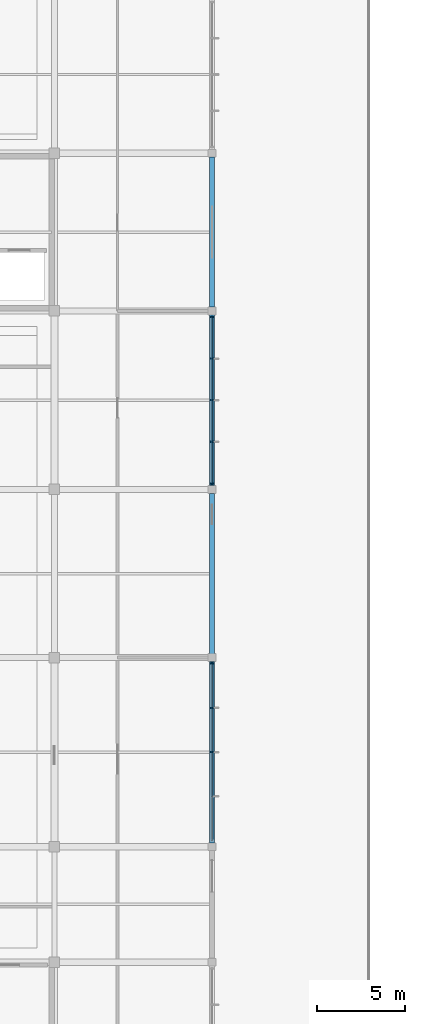
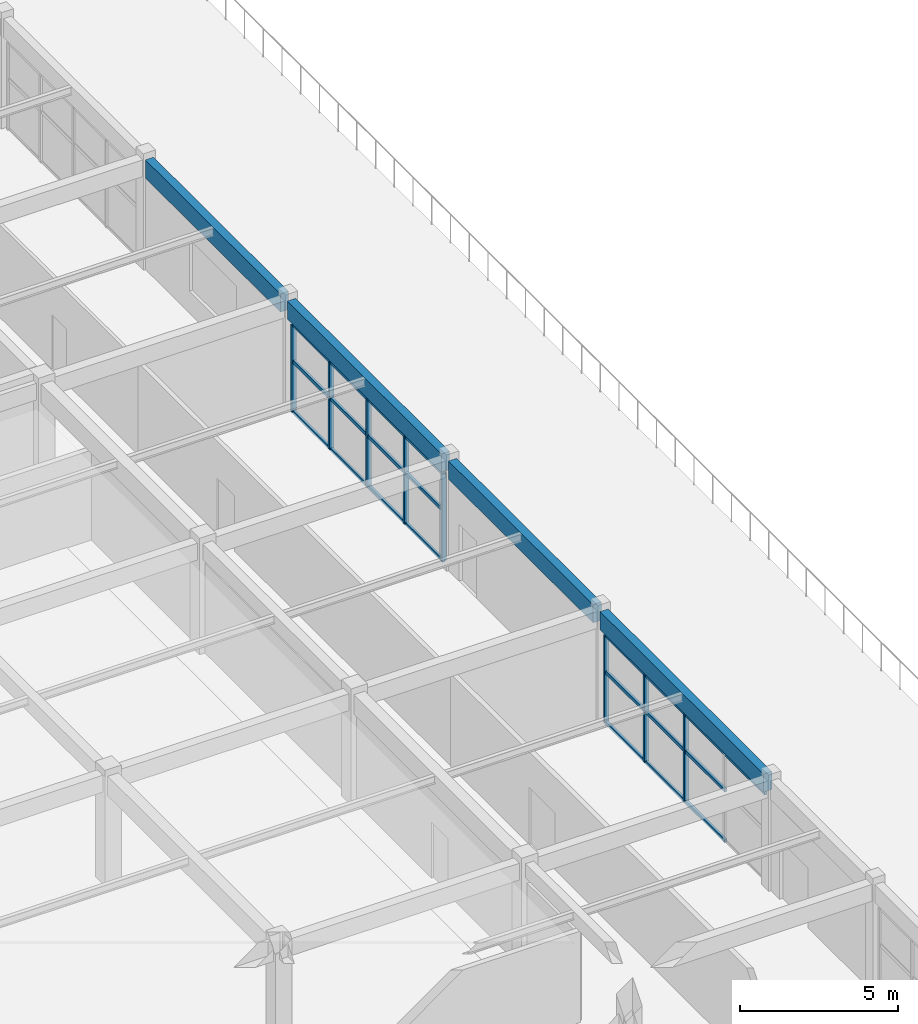
# One storey, part 12 of 89: 24 members, 4 beams, 2 elements without a shape of their own.
"""IFC4 building model written with IfcOpenShell, lengths in metres."""

from ifc_helpers import new_model, si_unit, direction, frame, origin, origin_2d, place, context, subcontext, project, spatial, rectangle, extrude, material, material_profile, profile_set, type_object, element, aggregate, save


model = new_model("IFC4")

# Units and contexts
model_context = context("Model", 3, precision=1e-05, world=origin(), true_north=direction((0.0, 1.0)))
body_context = subcontext(model_context, "Body", "Model", "MODEL_VIEW")
ifc_project = project(units=[si_unit("LENGTHUNIT", "METRE"), si_unit("AREAUNIT", "SQUARE_METRE"), si_unit("VOLUMEUNIT", "CUBIC_METRE"), si_unit("PLANEANGLEUNIT", "RADIAN"), si_unit("MASSUNIT", "GRAM", prefix="KILO")], contexts=[model_context])

# Site, building, storey
site_placement = place(None, origin())
site = spatial("IfcSite", under=ifc_project, at=site_placement, CompositionType="ELEMENT")
building_placement = place(site_placement, origin())
building = spatial("IfcBuilding", under=site, at=building_placement, Name="Suirenkawa Promenade Aquatics Centre", CompositionType="ELEMENT")
storey_placement = place(building_placement, frame((0.0, 0.0, 9.60009765625)))
storey = spatial("IfcBuildingStorey", under=building, at=storey_placement, Name="L02", CompositionType="ELEMENT", Elevation=9.60009765625)

# Beams
ifc_material_1 = material(Name="Concrete M40", Category="concrete")
ifc_material_profile_1 = material_profile(ifc_material_1, rectangle(XDim=0.300048828125, YDim=0.699951171875, at=origin_2d()), Name="RC SPANDREL 300x700", Category="concrete")
ifc_profile_set_1 = profile_set([ifc_material_profile_1], Name="Concrete M40")
beam_type = type_object("IfcBeamType", Name="BT-SPANDREL-300x700", PredefinedType="SPANDREL", material=ifc_profile_set_1)
beam_1_placement = place(storey_placement, frame((36.0, 29.01904296875, 3.889892578125), z_axis=(0.0, 1.0, 0.0), x_axis=(-1.0, 0.0, 0.0)))
element("IfcBeam", 1, at=beam_1_placement, inside=storey, type_object=beam_type, Name="Floor beam SP-01 BM-0681", PredefinedType="SPANDREL", context=body_context, shape_type="SweptSolid", body=[
    extrude(rectangle(XDim=0.300048828125, YDim=0.699951171875, at=origin_2d()), origin(), (0.0, 0.0, 1.0), 10.362060546875),
])
beam_2_placement = place(storey_placement, frame((36.0, 39.819091796875, 3.889892578125), z_axis=(0.0, 1.0, 0.0), x_axis=(-1.0, 0.0, 0.0)))
element("IfcBeam", 2, at=beam_2_placement, inside=storey, type_object=beam_type, Name="Floor beam SP-01 BM-0682", PredefinedType="SPANDREL", context=body_context, shape_type="SweptSolid", body=[
    extrude(rectangle(XDim=0.300048828125, YDim=0.699951171875, at=origin_2d()), origin(), (0.0, 0.0, 1.0), 9.161865234375),
])
beam_3_placement = place(storey_placement, frame((36.0, 49.4189453125, 3.889892578125), z_axis=(0.0, 1.0, 0.0), x_axis=(-1.0, 0.0, 0.0)))
element("IfcBeam", 3, at=beam_3_placement, inside=storey, type_object=beam_type, Name="Floor beam SP-01 BM-0683", PredefinedType="SPANDREL", context=body_context, shape_type="SweptSolid", body=[
    extrude(rectangle(XDim=0.300048828125, YDim=0.699951171875, at=origin_2d()), origin(), (0.0, 0.0, 1.0), 9.761962890625),
])
beam_4_placement = place(storey_placement, frame((36.0, 59.618896484375, 3.889892578125), z_axis=(0.0, 1.0, 0.0), x_axis=(-1.0, 0.0, 0.0)))
element("IfcBeam", 4, at=beam_4_placement, inside=storey, type_object=beam_type, Name="Floor beam SP-01 BM-0684", PredefinedType="SPANDREL", context=body_context, shape_type="SweptSolid", body=[
    extrude(rectangle(XDim=0.300048828125, YDim=0.699951171875, at=origin_2d()), origin(), (0.0, 0.0, 1.0), 8.56201171875),
])

# Curtain wall, members
ifc_material_2 = material(Name="Anodised aluminium 6063-T6", Category="aluminium")
curtain_wall_type_1 = type_object("IfcCurtainWallType", Name="CWAT-V5EL02-64", PredefinedType="NOTDEFINED", material=ifc_material_2)
curtain_wall_1_placement = place(storey_placement, origin())
curtain_wall_1 = element("IfcCurtainWall", 5, at=curtain_wall_1_placement, inside=storey, type_object=curtain_wall_type_1, Name="Curtain wall CWA-64 CW-118", PredefinedType="NOTDEFINED")
ifc_material_profile_2 = material_profile(ifc_material_2, rectangle(XDim=0.090087890625, YDim=0.159912109375, at=origin_2d()), Name="ALU MULL 90x160", Category="aluminium")
ifc_profile_set_2 = profile_set([ifc_material_profile_2], Name="Anodised aluminium 6063-T6")
member_type_1 = type_object("IfcMemberType", Name="CWM-160x90", PredefinedType="MULLION", material=ifc_profile_set_2)
member_1_placement = place(storey_placement, frame((36.0, 39.2509765625, 0.0), z_axis=(0.0, 0.0, 1.0), x_axis=(0.0, -1.0, 0.0)))
member_1 = element("IfcMember", 6, at=member_1_placement, type_object=member_type_1, Name="Mullion ML-03 CWM-02370", PredefinedType="MULLION", context=body_context, shape_type="SweptSolid", body=[
    extrude(rectangle(XDim=0.090087890625, YDim=0.159912109375, at=origin_2d()), origin(), (0.0, 0.0, 1.0), 3.369873046875),
])
member_2_placement = place(storey_placement, frame((36.0, 36.7255859375, 0.0), z_axis=(0.0, 0.0, 1.0), x_axis=(0.0, -1.0, 0.0)))
member_2 = element("IfcMember", 7, at=member_2_placement, type_object=member_type_1, Name="Mullion ML-03 CWM-02371", PredefinedType="MULLION", context=body_context, shape_type="SweptSolid", body=[
    extrude(rectangle(XDim=0.090087890625, YDim=0.159912109375, at=origin_2d()), origin(), (0.0, 0.0, 1.0), 3.369873046875),
])
member_3_placement = place(storey_placement, frame((36.0, 34.199951171875, 0.0), z_axis=(0.0, 0.0, 1.0), x_axis=(0.0, -1.0, 0.0)))
member_3 = element("IfcMember", 8, at=member_3_placement, type_object=member_type_1, Name="Mullion ML-03 CWM-02372", PredefinedType="MULLION", context=body_context, shape_type="SweptSolid", body=[
    extrude(rectangle(XDim=0.090087890625, YDim=0.159912109375, at=origin_2d()), origin(), (0.0, 0.0, 1.0), 3.369873046875),
])

curtain_wall_type_2 = type_object("IfcCurtainWallType", Name="CWAT-V5EL02-67", PredefinedType="NOTDEFINED", material=ifc_material_2)
curtain_wall_2_placement = place(storey_placement, origin())
curtain_wall_2 = element("IfcCurtainWall", 9, at=curtain_wall_2_placement, inside=storey, type_object=curtain_wall_type_2, Name="Curtain wall CWA-67 CW-121", PredefinedType="NOTDEFINED")
member_4_placement = place(storey_placement, frame((36.0, 59.051025390625, 0.0), z_axis=(0.0, 0.0, 1.0), x_axis=(0.0, -1.0, 0.0)))
member_4 = element("IfcMember", 10, at=member_4_placement, type_object=member_type_1, Name="Mullion ML-03 CWM-02436", PredefinedType="MULLION", context=body_context, shape_type="SweptSolid", body=[
    extrude(rectangle(XDim=0.090087890625, YDim=0.159912109375, at=origin_2d()), origin(), (0.0, 0.0, 1.0), 3.369873046875),
])
member_5_placement = place(storey_placement, frame((36.0, 56.675537109375, 0.0), z_axis=(0.0, 0.0, 1.0), x_axis=(0.0, -1.0, 0.0)))
member_5 = element("IfcMember", 11, at=member_5_placement, type_object=member_type_1, Name="Mullion ML-03 CWM-02437", PredefinedType="MULLION", context=body_context, shape_type="SweptSolid", body=[
    extrude(rectangle(XDim=0.090087890625, YDim=0.159912109375, at=origin_2d()), origin(), (0.0, 0.0, 1.0), 3.369873046875),
])
member_6_placement = place(storey_placement, frame((36.0, 54.300048828125, 0.0), z_axis=(0.0, 0.0, 1.0), x_axis=(0.0, -1.0, 0.0)))
member_6 = element("IfcMember", 12, at=member_6_placement, type_object=member_type_1, Name="Mullion ML-03 CWM-02438", PredefinedType="MULLION", context=body_context, shape_type="SweptSolid", body=[
    extrude(rectangle(XDim=0.090087890625, YDim=0.159912109375, at=origin_2d()), origin(), (0.0, 0.0, 1.0), 3.369873046875),
])
member_7_placement = place(storey_placement, frame((36.0, 51.924560546875, 0.0), z_axis=(0.0, 0.0, 1.0), x_axis=(0.0, -1.0, 0.0)))
member_7 = element("IfcMember", 13, at=member_7_placement, type_object=member_type_1, Name="Mullion ML-03 CWM-02439", PredefinedType="MULLION", context=body_context, shape_type="SweptSolid", body=[
    extrude(rectangle(XDim=0.090087890625, YDim=0.159912109375, at=origin_2d()), origin(), (0.0, 0.0, 1.0), 3.369873046875),
])
member_8_placement = place(storey_placement, frame((36.0, 49.549072265625, 0.0), z_axis=(0.0, 0.0, 1.0), x_axis=(0.0, -1.0, 0.0)))
member_8 = element("IfcMember", 14, at=member_8_placement, type_object=member_type_1, Name="Mullion ML-03 CWM-02440", PredefinedType="MULLION", context=body_context, shape_type="SweptSolid", body=[
    extrude(rectangle(XDim=0.090087890625, YDim=0.159912109375, at=origin_2d()), origin(), (0.0, 0.0, 1.0), 3.369873046875),
])

# Member
ifc_material_profile_3 = material_profile(ifc_material_2, rectangle(XDim=0.090087890625, YDim=0.1298828125, at=origin_2d()), Name="ALU TRAN 90x130", Category="aluminium")
ifc_profile_set_3 = profile_set([ifc_material_profile_3], Name="Anodised aluminium 6063-T6")
member_type_2 = type_object("IfcMemberType", Name="CWT-130x90", PredefinedType="USERDEFINED", material=ifc_profile_set_3)
member_9_placement = place(storey_placement, frame((36.0, 39.2509765625, 0.0), z_axis=(0.0, -1.0, 0.0), x_axis=(1.0, 0.0, 0.0)))
member_9 = element("IfcMember", 15, at=member_9_placement, type_object=member_type_2, Name="Transom TR-03 CWT-02375", ObjectType="TRANSOM", PredefinedType="USERDEFINED", context=body_context, shape_type="SweptSolid", body=[
    extrude(rectangle(XDim=0.090087890625, YDim=0.1298828125, at=origin_2d()), origin(), (0.0, 0.0, 1.0), 2.525390625),
])

member_10_placement = place(storey_placement, frame((36.0, 36.7255859375, 0.0), z_axis=(0.0, -1.0, 0.0), x_axis=(1.0, 0.0, 0.0)))
member_10 = element("IfcMember", 16, at=member_10_placement, type_object=member_type_2, Name="Transom TR-03 CWT-02376", ObjectType="TRANSOM", PredefinedType="USERDEFINED", context=body_context, shape_type="SweptSolid", body=[
    extrude(rectangle(XDim=0.090087890625, YDim=0.1298828125, at=origin_2d()), origin(), (0.0, 0.0, 1.0), 2.525634765625),
])

member_11_placement = place(storey_placement, frame((36.0, 34.199951171875, 0.0), z_axis=(0.0, -1.0, 0.0), x_axis=(1.0, 0.0, 0.0)))
member_11 = element("IfcMember", 17, at=member_11_placement, type_object=member_type_2, Name="Transom TR-03 CWT-02377", ObjectType="TRANSOM", PredefinedType="USERDEFINED", context=body_context, shape_type="SweptSolid", body=[
    extrude(rectangle(XDim=0.090087890625, YDim=0.1298828125, at=origin_2d()), origin(), (0.0, 0.0, 1.0), 2.525390625),
])

member_12_placement = place(storey_placement, frame((36.0, 39.2509765625, 1.949951171875), z_axis=(0.0, -1.0, 0.0), x_axis=(1.0, 0.0, 0.0)))
member_12 = element("IfcMember", 18, at=member_12_placement, type_object=member_type_2, Name="Transom TR-03 CWT-02379", ObjectType="TRANSOM", PredefinedType="USERDEFINED", context=body_context, shape_type="SweptSolid", body=[
    extrude(rectangle(XDim=0.090087890625, YDim=0.1298828125, at=origin_2d()), origin(), (0.0, 0.0, 1.0), 2.525390625),
])

member_13_placement = place(storey_placement, frame((36.0, 36.7255859375, 1.949951171875), z_axis=(0.0, -1.0, 0.0), x_axis=(1.0, 0.0, 0.0)))
member_13 = element("IfcMember", 19, at=member_13_placement, type_object=member_type_2, Name="Transom TR-03 CWT-02380", ObjectType="TRANSOM", PredefinedType="USERDEFINED", context=body_context, shape_type="SweptSolid", body=[
    extrude(rectangle(XDim=0.090087890625, YDim=0.1298828125, at=origin_2d()), origin(), (0.0, 0.0, 1.0), 2.525634765625),
])

member_14_placement = place(storey_placement, frame((36.0, 34.199951171875, 1.949951171875), z_axis=(0.0, -1.0, 0.0), x_axis=(1.0, 0.0, 0.0)))
member_14 = element("IfcMember", 20, at=member_14_placement, type_object=member_type_2, Name="Transom TR-03 CWT-02381", ObjectType="TRANSOM", PredefinedType="USERDEFINED", context=body_context, shape_type="SweptSolid", body=[
    extrude(rectangle(XDim=0.090087890625, YDim=0.1298828125, at=origin_2d()), origin(), (0.0, 0.0, 1.0), 2.525390625),
])

member_15_placement = place(storey_placement, frame((36.0, 39.2509765625, 3.369873046875), z_axis=(0.0, -1.0, 0.0), x_axis=(1.0, 0.0, 0.0)))
member_15 = element("IfcMember", 21, at=member_15_placement, type_object=member_type_2, Name="Roofline transom TR-03 CWT-02383", ObjectType="TRANSOM", PredefinedType="USERDEFINED", context=body_context, shape_type="SweptSolid", body=[
    extrude(rectangle(XDim=0.090087890625, YDim=0.1298828125, at=origin_2d()), origin(), (0.0, 0.0, 1.0), 10.10205078125),
])

aggregate(curtain_wall_1, [member_1, member_2, member_3, member_9, member_10, member_11, member_12, member_13, member_14, member_15])

member_16_placement = place(storey_placement, frame((36.0, 59.051025390625, 0.0), z_axis=(0.0, -1.0, 0.0), x_axis=(1.0, 0.0, 0.0)))
member_16 = element("IfcMember", 22, at=member_16_placement, type_object=member_type_2, Name="Transom TR-03 CWT-02441", ObjectType="TRANSOM", PredefinedType="USERDEFINED", context=body_context, shape_type="SweptSolid", body=[
    extrude(rectangle(XDim=0.090087890625, YDim=0.1298828125, at=origin_2d()), origin(), (0.0, 0.0, 1.0), 2.37548828125),
])

member_17_placement = place(storey_placement, frame((36.0, 56.675537109375, 0.0), z_axis=(0.0, -1.0, 0.0), x_axis=(1.0, 0.0, 0.0)))
member_17 = element("IfcMember", 23, at=member_17_placement, type_object=member_type_2, Name="Transom TR-03 CWT-02442", ObjectType="TRANSOM", PredefinedType="USERDEFINED", context=body_context, shape_type="SweptSolid", body=[
    extrude(rectangle(XDim=0.090087890625, YDim=0.1298828125, at=origin_2d()), origin(), (0.0, 0.0, 1.0), 2.37548828125),
])

member_18_placement = place(storey_placement, frame((36.0, 54.300048828125, 0.0), z_axis=(0.0, -1.0, 0.0), x_axis=(1.0, 0.0, 0.0)))
member_18 = element("IfcMember", 24, at=member_18_placement, type_object=member_type_2, Name="Transom TR-03 CWT-02443", ObjectType="TRANSOM", PredefinedType="USERDEFINED", context=body_context, shape_type="SweptSolid", body=[
    extrude(rectangle(XDim=0.090087890625, YDim=0.1298828125, at=origin_2d()), origin(), (0.0, 0.0, 1.0), 2.37548828125),
])

member_19_placement = place(storey_placement, frame((36.0, 51.924560546875, 0.0), z_axis=(0.0, -1.0, 0.0), x_axis=(1.0, 0.0, 0.0)))
member_19 = element("IfcMember", 25, at=member_19_placement, type_object=member_type_2, Name="Transom TR-03 CWT-02444", ObjectType="TRANSOM", PredefinedType="USERDEFINED", context=body_context, shape_type="SweptSolid", body=[
    extrude(rectangle(XDim=0.090087890625, YDim=0.1298828125, at=origin_2d()), origin(), (0.0, 0.0, 1.0), 2.37548828125),
])

member_20_placement = place(storey_placement, frame((36.0, 59.051025390625, 1.949951171875), z_axis=(0.0, -1.0, 0.0), x_axis=(1.0, 0.0, 0.0)))
member_20 = element("IfcMember", 26, at=member_20_placement, type_object=member_type_2, Name="Transom TR-03 CWT-02445", ObjectType="TRANSOM", PredefinedType="USERDEFINED", context=body_context, shape_type="SweptSolid", body=[
    extrude(rectangle(XDim=0.090087890625, YDim=0.1298828125, at=origin_2d()), origin(), (0.0, 0.0, 1.0), 2.37548828125),
])

member_21_placement = place(storey_placement, frame((36.0, 56.675537109375, 1.949951171875), z_axis=(0.0, -1.0, 0.0), x_axis=(1.0, 0.0, 0.0)))
member_21 = element("IfcMember", 27, at=member_21_placement, type_object=member_type_2, Name="Transom TR-03 CWT-02446", ObjectType="TRANSOM", PredefinedType="USERDEFINED", context=body_context, shape_type="SweptSolid", body=[
    extrude(rectangle(XDim=0.090087890625, YDim=0.1298828125, at=origin_2d()), origin(), (0.0, 0.0, 1.0), 2.37548828125),
])

member_22_placement = place(storey_placement, frame((36.0, 54.300048828125, 1.949951171875), z_axis=(0.0, -1.0, 0.0), x_axis=(1.0, 0.0, 0.0)))
member_22 = element("IfcMember", 28, at=member_22_placement, type_object=member_type_2, Name="Transom TR-03 CWT-02447", ObjectType="TRANSOM", PredefinedType="USERDEFINED", context=body_context, shape_type="SweptSolid", body=[
    extrude(rectangle(XDim=0.090087890625, YDim=0.1298828125, at=origin_2d()), origin(), (0.0, 0.0, 1.0), 2.37548828125),
])

member_23_placement = place(storey_placement, frame((36.0, 51.924560546875, 1.949951171875), z_axis=(0.0, -1.0, 0.0), x_axis=(1.0, 0.0, 0.0)))
member_23 = element("IfcMember", 29, at=member_23_placement, type_object=member_type_2, Name="Transom TR-03 CWT-02448", ObjectType="TRANSOM", PredefinedType="USERDEFINED", context=body_context, shape_type="SweptSolid", body=[
    extrude(rectangle(XDim=0.090087890625, YDim=0.1298828125, at=origin_2d()), origin(), (0.0, 0.0, 1.0), 2.37548828125),
])

member_24_placement = place(storey_placement, frame((36.0, 59.051025390625, 3.369873046875), z_axis=(0.0, -1.0, 0.0), x_axis=(1.0, 0.0, 0.0)))
member_24 = element("IfcMember", 30, at=member_24_placement, type_object=member_type_2, Name="Roofline transom TR-03 CWT-02449", ObjectType="TRANSOM", PredefinedType="USERDEFINED", context=body_context, shape_type="SweptSolid", body=[
    extrude(rectangle(XDim=0.090087890625, YDim=0.1298828125, at=origin_2d()), origin(), (0.0, 0.0, 1.0), 9.501953125),
])

aggregate(curtain_wall_2, [member_4, member_5, member_6, member_7, member_8, member_16, member_17, member_18, member_19, member_20, member_21, member_22, member_23, member_24])

save(model, "model.ifc")
